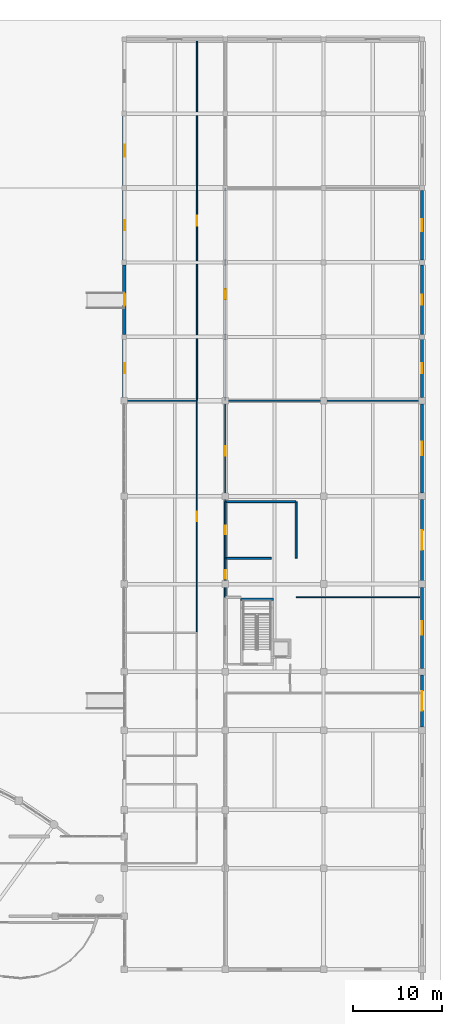
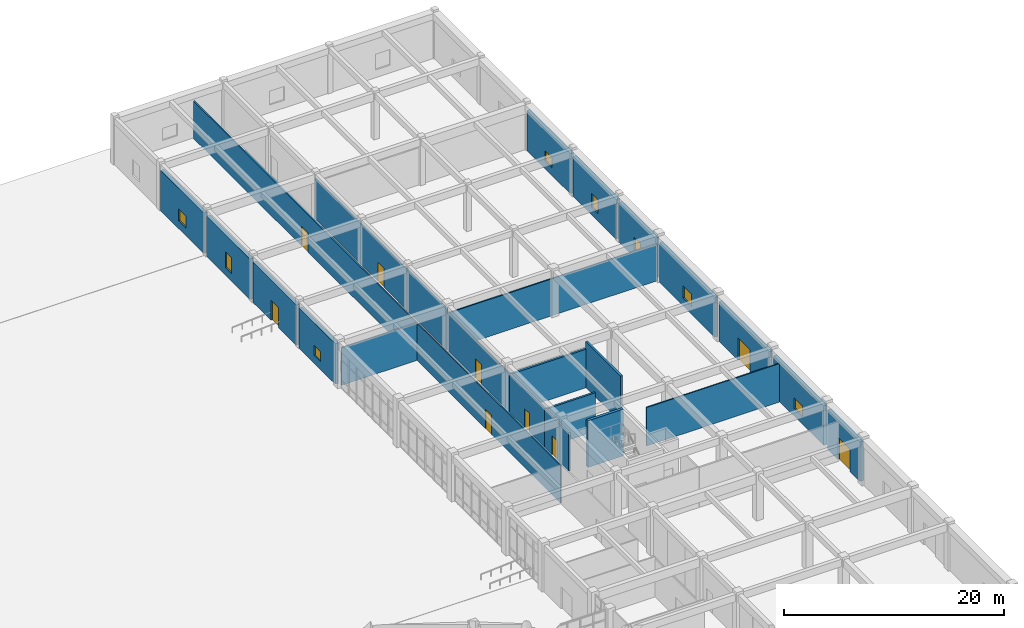
# One storey, part 57 of 70: 24 walls, 9 doors, 8 windows, 17 openings.
"""IFC4 building model written with IfcOpenShell, lengths in metres."""

from ifc_helpers import new_model, si_unit, direction, frame, frame_2d, origin, place, context, subcontext, project, spatial, rectangle, extrude, material, layer, layer_set, type_object, element, fill, save


model = new_model("IFC4")

# Units and contexts
model_context = context("Model", 3, precision=1e-05, world=origin(), true_north=direction((0.0, 1.0)))
body_context = subcontext(model_context, "Body", "Model", "MODEL_VIEW")
ifc_project = project(units=[si_unit("LENGTHUNIT", "METRE"), si_unit("AREAUNIT", "SQUARE_METRE"), si_unit("VOLUMEUNIT", "CUBIC_METRE"), si_unit("PLANEANGLEUNIT", "RADIAN"), si_unit("MASSUNIT", "GRAM", prefix="KILO")], contexts=[model_context])

# Site, building, storey
site_placement = place(None, origin())
site = spatial("IfcSite", under=ifc_project, at=site_placement, CompositionType="ELEMENT")
building_placement = place(site_placement, origin())
building = spatial("IfcBuilding", under=site, at=building_placement, Name="Miralva Faculty of Natural Sciences", CompositionType="ELEMENT")
storey_placement = place(building_placement, origin())
storey = spatial("IfcBuildingStorey", under=building, at=storey_placement, Name="L00", CompositionType="ELEMENT", Elevation=0.0)

# Wall
ifc_material_1 = material(Name="Concrete C40/50", Category="concrete")
ifc_layer_1 = layer(ifc_material_1, 0.300048828125, Name="WL-CW03")
ifc_layer_set_1 = layer_set([ifc_layer_1], Name="Concrete C40/50")
wall_type_1 = type_object("IfcWallType", Name="WL-CW03", PredefinedType="SHEAR", material=ifc_layer_set_1)
wall_1_placement = place(storey_placement, frame((146.89990234375, 53.800048828125, 0.0), z_axis=(0.0, 0.0, 1.0), x_axis=(1.0, 0.0, 0.0)))
element("IfcWall", 1, at=wall_1_placement, inside=storey, type_object=wall_type_1, Name="Core C4 shear wall north L00", PredefinedType="SHEAR", context=body_context, shape_type="SweptSolid", body=[
    extrude(rectangle(XDim=3.75, YDim=0.300048828125, at=frame_2d((1.875, 0.0))), origin(), (0.0, 0.0, 1.0), 5.179931640625),
])

# Wall, opening, door
ifc_material_2 = material(Name="Gypsum plasterboard")
ifc_layer_2 = layer(ifc_material_2, 0.139892578125, Name="WL-PT04")
ifc_layer_set_2 = layer_set([ifc_layer_2], Name="Gypsum plasterboard")
wall_type_2 = type_object("IfcWallType", Name="WL-PT04", PredefinedType="PARTITIONING", material=ifc_layer_set_2)
wall_2_placement = place(storey_placement, frame((142.0, 76.22998046875, 0.0), z_axis=(0.0, 0.0, 1.0), x_axis=(0.0, 1.0, 0.0)))
wall_2 = element("IfcWall", 2, at=wall_2_placement, inside=storey, type_object=wall_type_2, Name="Interior partition PT-04 L00-78", PredefinedType="PARTITIONING", context=body_context, shape_type="SweptSolid", body=[
    extrude(rectangle(XDim=40.5400390625, YDim=0.139892578125, at=frame_2d((20.27001953125, 0.0))), origin(), (0.0, 0.0, 1.0), 4.155029296875),
])
opening_1_placement = place(wall_2_placement, frame((19.695068359375, 0.0, 0.0)))
opening_1 = element("IfcOpeningElement", 3, at=opening_1_placement, cuts=wall_2, Name="Opening D-24", PredefinedType="OPENING", context=body_context, shape_type="SweptSolid", body=[
    extrude(rectangle(XDim=1.14990234375, YDim=2.14990234375, at=frame_2d((0.574951171875, 1.074951171875))), frame((0.0, 0.079833984375, 0.0), z_axis=(0.0, -1.0, 0.0), x_axis=(1.0, 0.0, 0.0)), (0.0, 0.0, 1.0), 0.159912109375),
])
ifc_material_3 = material(Name="Anodised aluminium", Category="aluminium")
door_type_1 = type_object("IfcDoorType", Name="DR-DI24", OperationType="NOTDEFINED", PredefinedType="DOOR", material=ifc_material_3)
door_1_placement = place(opening_1_placement, origin())
door_1 = element("IfcDoor", 4, at=door_1_placement, inside=storey, type_object=door_type_1, Name="Interior door D-24 L00-44", OperationType="SINGLE_SWING_LEFT", OverallHeight=2.14990234375, OverallWidth=1.14990234375, PredefinedType="DOOR", context=body_context, shape_type="SweptSolid", body=[
    extrude(rectangle(XDim=1.14990234375, YDim=2.14990234375, at=frame_2d((0.574951171875, 1.074951171875))), frame((0.0, 0.02490234375, 0.0), z_axis=(0.0, -1.0, 0.0), x_axis=(1.0, 0.0, 0.0)), (0.0, 0.0, 1.0), 0.050048828125),
])
fill(opening_1, door_1)

wall_3_placement = place(storey_placement, frame((145.199951171875, 76.22998046875, 0.0), z_axis=(0.0, 0.0, 1.0), x_axis=(0.0, 1.0, 0.0)))
wall_3 = element("IfcWall", 5, at=wall_3_placement, inside=storey, type_object=wall_type_2, Name="Interior partition PT-04 L00-89", PredefinedType="PARTITIONING", context=body_context, shape_type="SweptSolid", body=[
    extrude(rectangle(XDim=23.93994140625, YDim=0.139892578125, at=frame_2d((11.969970703125, 0.0))), origin(), (0.0, 0.0, 1.0), 4.4951171875),
])
opening_2_placement = place(wall_3_placement, frame((11.39501953125, 0.0, 0.0)))
opening_2 = element("IfcOpeningElement", 6, at=opening_2_placement, cuts=wall_3, Name="Opening D-24", PredefinedType="OPENING", context=body_context, shape_type="SweptSolid", body=[
    extrude(rectangle(XDim=1.14990234375, YDim=2.14990234375, at=frame_2d((0.574951171875, 1.074951171875))), frame((0.0, 0.079833984375, 0.0), z_axis=(0.0, -1.0, 0.0), x_axis=(1.0, 0.0, 0.0)), (0.0, 0.0, 1.0), 0.159912109375),
])
door_2_placement = place(opening_2_placement, origin())
door_2 = element("IfcDoor", 7, at=door_2_placement, inside=storey, type_object=door_type_1, Name="Interior door D-24 L00-45", OperationType="SINGLE_SWING_RIGHT", OverallHeight=2.14990234375, OverallWidth=1.14990234375, PredefinedType="DOOR", context=body_context, shape_type="SweptSolid", body=[
    extrude(rectangle(XDim=1.14990234375, YDim=2.14990234375, at=frame_2d((0.574951171875, 1.074951171875))), frame((0.0, 0.02490234375, 0.0), z_axis=(0.0, -1.0, 0.0), x_axis=(1.0, 0.0, 0.0)), (0.0, 0.0, 1.0), 0.050048828125),
])
fill(opening_2, door_2)

# Walls
wall_4_placement = place(storey_placement, frame((134.030029296875, 76.199951171875, 0.0), z_axis=(0.0, 0.0, 1.0), x_axis=(1.0, 0.0, 0.0)))
element("IfcWall", 8, at=wall_4_placement, inside=storey, type_object=wall_type_2, Name="Interior partition PT-04 L00-117", PredefinedType="PARTITIONING", context=body_context, shape_type="SweptSolid", body=[
    extrude(rectangle(XDim=7.93994140625, YDim=0.139892578125, at=frame_2d((3.969970703125, 0.0))), origin(), (0.0, 0.0, 1.0), 4.155029296875),
])
wall_5_placement = place(storey_placement, frame((145.22998046875, 76.199951171875, 0.0), z_axis=(0.0, 0.0, 1.0), x_axis=(1.0, 0.0, 0.0)))
element("IfcWall", 9, at=wall_5_placement, inside=storey, type_object=wall_type_2, Name="Interior partition PT-04 L00-124", PredefinedType="PARTITIONING", context=body_context, shape_type="SweptSolid", body=[
    extrude(rectangle(XDim=21.93994140625, YDim=0.139892578125, at=frame_2d((10.969970703125, 0.0))), origin(), (0.0, 0.0, 1.0), 4.094970703125),
])

# Wall, opening, door
ifc_layer_3 = layer(ifc_material_2, 0.125, Name="WL-PT05")
ifc_layer_set_3 = layer_set([ifc_layer_3], Name="Gypsum plasterboard")
wall_type_3 = type_object("IfcWallType", Name="WL-PT05", PredefinedType="PARTITIONING", material=ifc_layer_set_3)
wall_6_placement = place(storey_placement, frame((142.0, 50.030029296875, 0.0), z_axis=(0.0, 0.0, 1.0), x_axis=(0.0, 1.0, 0.0)))
wall_6 = element("IfcWall", 10, at=wall_6_placement, inside=storey, type_object=wall_type_3, Name="Interior partition PT-05 L00-77", PredefinedType="PARTITIONING", context=body_context, shape_type="SweptSolid", body=[
    extrude(rectangle(XDim=26.139892578125, YDim=0.125, at=frame_2d((13.06982421875, 0.0))), origin(), (0.0, 0.0, 1.0), 4.155029296875),
])
opening_3_placement = place(wall_6_placement, frame((12.530029296875, 0.0, 0.0)))
opening_3 = element("IfcOpeningElement", 11, at=opening_3_placement, cuts=wall_6, Name="Opening D-32", PredefinedType="OPENING", context=body_context, shape_type="SweptSolid", body=[
    extrude(rectangle(XDim=1.080078125, YDim=2.14990234375, at=frame_2d((0.5400390625, 1.074951171875))), frame((0.0, 0.072509765625, 0.0), z_axis=(0.0, -1.0, 0.0), x_axis=(1.0, 0.0, 0.0)), (0.0, 0.0, 1.0), 0.14501953125),
])
door_type_2 = type_object("IfcDoorType", Name="DR-DI32", OperationType="NOTDEFINED", PredefinedType="DOOR", material=ifc_material_3)
door_3_placement = place(opening_3_placement, origin())
door_3 = element("IfcDoor", 12, at=door_3_placement, inside=storey, type_object=door_type_2, Name="Interior door D-32 L00-39", OperationType="SINGLE_SWING_RIGHT", OverallHeight=2.14990234375, OverallWidth=1.080078125, PredefinedType="DOOR", context=body_context, shape_type="SweptSolid", body=[
    extrude(rectangle(XDim=1.080078125, YDim=2.14990234375, at=frame_2d((0.5400390625, 1.074951171875))), frame((0.0, 0.02490234375, 0.0), z_axis=(0.0, -1.0, 0.0), x_axis=(1.0, 0.0, 0.0)), (0.0, 0.0, 1.0), 0.050048828125),
])
fill(opening_3, door_3)

wall_7_placement = place(storey_placement, frame((145.199951171875, 64.830078125, 0.0), z_axis=(0.0, 0.0, 1.0), x_axis=(0.0, 1.0, 0.0)))
wall_7 = element("IfcWall", 13, at=wall_7_placement, inside=storey, type_object=wall_type_3, Name="Interior partition PT-05 L00-88", PredefinedType="PARTITIONING", context=body_context, shape_type="SweptSolid", body=[
    extrude(rectangle(XDim=11.33984375, YDim=0.125, at=frame_2d((5.669921875, 0.0))), origin(), (0.0, 0.0, 1.0), 4.264892578125),
])
opening_4_placement = place(wall_7_placement, frame((5.1298828125, 0.0, 0.0)))
opening_4 = element("IfcOpeningElement", 14, at=opening_4_placement, cuts=wall_7, Name="Opening D-32", PredefinedType="OPENING", context=body_context, shape_type="SweptSolid", body=[
    extrude(rectangle(XDim=1.080078125, YDim=2.14990234375, at=frame_2d((0.5400390625, 1.074951171875))), frame((0.0, 0.072509765625, 0.0), z_axis=(0.0, -1.0, 0.0), x_axis=(1.0, 0.0, 0.0)), (0.0, 0.0, 1.0), 0.14501953125),
])
door_4_placement = place(opening_4_placement, origin())
door_4 = element("IfcDoor", 15, at=door_4_placement, inside=storey, type_object=door_type_2, Name="Interior door D-32 L00-42", OperationType="SINGLE_SWING_LEFT", OverallHeight=2.14990234375, OverallWidth=1.080078125, PredefinedType="DOOR", context=body_context, shape_type="SweptSolid", body=[
    extrude(rectangle(XDim=1.080078125, YDim=2.14990234375, at=frame_2d((0.5400390625, 1.074951171875))), frame((0.0, 0.02490234375, 0.0), z_axis=(0.0, -1.0, 0.0), x_axis=(1.0, 0.0, 0.0)), (0.0, 0.0, 1.0), 0.050048828125),
])
fill(opening_4, door_4)

# Wall
wall_8_placement = place(storey_placement, frame((153.22998046875, 54.0, 0.0), z_axis=(0.0, 0.0, 1.0), x_axis=(1.0, 0.0, 0.0)))
element("IfcWall", 16, at=wall_8_placement, inside=storey, type_object=wall_type_3, Name="Interior partition PT-05 L00-119", PredefinedType="PARTITIONING", context=body_context, shape_type="SweptSolid", body=[
    extrude(rectangle(XDim=13.93994140625, YDim=0.125, at=frame_2d((6.969970703125, 0.0))), origin(), (0.0, 0.0, 1.0), 4.264892578125),
])

# Wall, opening, door
ifc_layer_4 = layer(ifc_material_2, 0.2099609375, Name="WL-PT06")
ifc_layer_set_4 = layer_set([ifc_layer_4], Name="Gypsum plasterboard")
wall_type_4 = type_object("IfcWallType", Name="WL-PT06", PredefinedType="PLUMBINGWALL", material=ifc_layer_set_4)
wall_9_placement = place(storey_placement, frame((145.199951171875, 54.030029296875, 0.0), z_axis=(0.0, 0.0, 1.0), x_axis=(0.0, 1.0, 0.0)))
wall_9 = element("IfcWall", 17, at=wall_9_placement, inside=storey, type_object=wall_type_4, Name="Interior partition PT-06 L00-86", PredefinedType="PLUMBINGWALL", context=body_context, shape_type="SweptSolid", body=[
    extrude(rectangle(XDim=4.340087890625, YDim=0.2099609375, at=frame_2d((2.169921875, 0.0))), origin(), (0.0, 0.0, 1.0), 4.264892578125),
])
opening_5_placement = place(wall_9_placement, frame((2.0400390625, 0.0, 0.0)))
opening_5 = element("IfcOpeningElement", 18, at=opening_5_placement, cuts=wall_9, Name="Opening D-26", PredefinedType="OPENING", context=body_context, shape_type="SweptSolid", body=[
    extrude(rectangle(XDim=0.97998046875, YDim=2.10009765625, at=frame_2d((0.489990234375, 1.050048828125))), frame((0.0, 0.114990234375, 0.0), z_axis=(0.0, -1.0, 0.0), x_axis=(1.0, 0.0, 0.0)), (0.0, 0.0, 1.0), 0.22998046875),
])
door_type_3 = type_object("IfcDoorType", Name="DR-DI26", OperationType="NOTDEFINED", PredefinedType="DOOR", material=ifc_material_3)
door_5_placement = place(opening_5_placement, origin())
door_5 = element("IfcDoor", 19, at=door_5_placement, inside=storey, type_object=door_type_3, Name="Interior door D-26 L00-40", OperationType="SINGLE_SWING_LEFT", OverallHeight=2.10009765625, OverallWidth=0.97998046875, PredefinedType="DOOR", context=body_context, shape_type="SweptSolid", body=[
    extrude(rectangle(XDim=0.97998046875, YDim=2.10009765625, at=frame_2d((0.489990234375, 1.050048828125))), frame((0.0, 0.02490234375, 0.0), z_axis=(0.0, -1.0, 0.0), x_axis=(1.0, 0.0, 0.0)), (0.0, 0.0, 1.0), 0.050048828125),
])
fill(opening_5, door_5)

wall_10_placement = place(storey_placement, frame((145.199951171875, 58.429931640625, 0.0), z_axis=(0.0, 0.0, 1.0), x_axis=(0.0, 1.0, 0.0)))
wall_10 = element("IfcWall", 20, at=wall_10_placement, inside=storey, type_object=wall_type_4, Name="Interior partition PT-06 L00-87", PredefinedType="PLUMBINGWALL", context=body_context, shape_type="SweptSolid", body=[
    extrude(rectangle(XDim=6.340087890625, YDim=0.2099609375, at=frame_2d((3.169921875, 0.0))), origin(), (0.0, 0.0, 1.0), 4.264892578125),
])
opening_6_placement = place(wall_10_placement, frame((2.7099609375, 0.0, 0.0)))
opening_6 = element("IfcOpeningElement", 21, at=opening_6_placement, cuts=wall_10, Name="Opening D-27", PredefinedType="OPENING", context=body_context, shape_type="SweptSolid", body=[
    extrude(rectangle(XDim=0.919921875, YDim=2.10009765625, at=frame_2d((0.4599609375, 1.050048828125))), frame((0.0, 0.114990234375, 0.0), z_axis=(0.0, -1.0, 0.0), x_axis=(1.0, 0.0, 0.0)), (0.0, 0.0, 1.0), 0.22998046875),
])
door_type_4 = type_object("IfcDoorType", Name="DR-DI27", OperationType="NOTDEFINED", PredefinedType="DOOR", material=ifc_material_3)
door_6_placement = place(opening_6_placement, origin())
door_6 = element("IfcDoor", 22, at=door_6_placement, inside=storey, type_object=door_type_4, Name="Interior door D-27 L00-41", OperationType="SINGLE_SWING_RIGHT", OverallHeight=2.10009765625, OverallWidth=0.919921875, PredefinedType="DOOR", context=body_context, shape_type="SweptSolid", body=[
    extrude(rectangle(XDim=0.919921875, YDim=2.10009765625, at=frame_2d((0.4599609375, 1.050048828125))), frame((0.0, 0.02490234375, 0.0), z_axis=(0.0, -1.0, 0.0), x_axis=(1.0, 0.0, 0.0)), (0.0, 0.0, 1.0), 0.050048828125),
])
fill(opening_6, door_6)

# Walls
wall_11_placement = place(storey_placement, frame((145.22998046875, 58.39990234375, 0.0), z_axis=(0.0, 0.0, 1.0), x_axis=(1.0, 0.0, 0.0)))
element("IfcWall", 23, at=wall_11_placement, inside=storey, type_object=wall_type_4, Name="Interior partition PT-06 L00-120", PredefinedType="PLUMBINGWALL", context=body_context, shape_type="SweptSolid", body=[
    extrude(rectangle(XDim=5.14013671875, YDim=0.2099609375, at=frame_2d((2.570068359375, 0.0))), origin(), (0.0, 0.0, 1.0), 4.264892578125),
])
wall_12_placement = place(storey_placement, frame((145.22998046875, 64.800048828125, 0.0), z_axis=(0.0, 0.0, 1.0), x_axis=(1.0, 0.0, 0.0)))
element("IfcWall", 24, at=wall_12_placement, inside=storey, type_object=wall_type_4, Name="Interior partition PT-06 L00-122", PredefinedType="PLUMBINGWALL", context=body_context, shape_type="SweptSolid", body=[
    extrude(rectangle(XDim=7.93994140625, YDim=0.2099609375, at=frame_2d((3.969970703125, 0.0))), origin(), (0.0, 0.0, 1.0), 4.264892578125),
])
wall_13_placement = place(storey_placement, frame((153.199951171875, 58.429931640625, 0.0), z_axis=(0.0, 0.0, 1.0), x_axis=(0.0, 1.0, 0.0)))
element("IfcWall", 25, at=wall_13_placement, inside=storey, type_object=wall_type_4, Name="Interior partition PT-06 L00-123", PredefinedType="PLUMBINGWALL", context=body_context, shape_type="SweptSolid", body=[
    extrude(rectangle(XDim=6.340087890625, YDim=0.2099609375, at=frame_2d((3.169921875, 0.0))), origin(), (0.0, 0.0, 1.0), 5.080078125),
])

# Wall, opening, door
ifc_material_4 = material(Name="Volcanic tuff architectural stone", Category="masonry")
ifc_layer_5 = layer(ifc_material_4, 0.360107421875, Name="WL-WT01")
ifc_layer_set_5 = layer_set([ifc_layer_5], Name="Volcanic tuff architectural stone")
wall_type_5 = type_object("IfcWallType", Name="WL-WT01", PredefinedType="SOLIDWALL", material=ifc_layer_set_5)
wall_14_placement = place(storey_placement, frame((167.39990234375, 39.364990234375, 0.0), z_axis=(0.0, 0.0, 1.0), x_axis=(0.0, 1.0, 0.0)))
wall_14 = element("IfcWall", 26, at=wall_14_placement, inside=storey, type_object=wall_type_5, Name="Exterior wall L00-292", PredefinedType="SOLIDWALL", context=body_context, shape_type="SweptSolid", body=[
    extrude(rectangle(XDim=5.880126953125, YDim=0.360107421875, at=frame_2d((2.93994140625, 0.0))), origin(), (0.0, 0.0, 1.0), 4.4150390625),
])
opening_7_placement = place(wall_14_placement, frame((1.840087890625, 0.0, 0.0)))
opening_7 = element("IfcOpeningElement", 27, at=opening_7_placement, cuts=wall_14, Name="Opening D-01", PredefinedType="OPENING", context=body_context, shape_type="SweptSolid", body=[
    extrude(rectangle(XDim=2.199951171875, YDim=2.5, at=frame_2d((1.10009765625, 1.25))), frame((0.0, 0.18994140625, 0.0), z_axis=(0.0, -1.0, 0.0), x_axis=(1.0, 0.0, 0.0)), (0.0, 0.0, 1.0), 0.380126953125),
])
door_type_5 = type_object("IfcDoorType", Name="DR-DE01", OperationType="DOUBLE_DOOR_SINGLE_SWING", PredefinedType="DOOR", material=ifc_material_3)
door_7_placement = place(opening_7_placement, frame((2.199951171875, 0.0, 0.0), z_axis=(0.0, 0.0, 1.0), x_axis=(-1.0, 0.0, 0.0)))
door_7 = element("IfcDoor", 28, at=door_7_placement, inside=storey, type_object=door_type_5, Name="Exterior pedestrian exit door D-01 L00-22", OperationType="DOUBLE_DOOR_SINGLE_SWING", OverallHeight=2.5, OverallWidth=2.199951171875, PredefinedType="DOOR", context=body_context, shape_type="SweptSolid", body=[
    extrude(rectangle(XDim=2.199951171875, YDim=2.5, at=frame_2d((1.10009765625, 1.25))), frame((0.0, 0.02490234375, 0.0), z_axis=(0.0, -1.0, 0.0), x_axis=(1.0, 0.0, 0.0)), (0.0, 0.0, 1.0), 0.050048828125),
])
fill(opening_7, door_7)

# Wall, opening, window
wall_15_placement = place(storey_placement, frame((167.39990234375, 45.965087890625, 0.0), z_axis=(0.0, 0.0, 1.0), x_axis=(0.0, 1.0, 0.0)))
wall_15 = element("IfcWall", 29, at=wall_15_placement, inside=storey, type_object=wall_type_5, Name="Exterior wall L00-293", PredefinedType="SOLIDWALL", context=body_context, shape_type="SweptSolid", body=[
    extrude(rectangle(XDim=9.169921875, YDim=0.360107421875, at=frame_2d((4.5849609375, 0.0))), origin(), (0.0, 0.0, 1.0), 4.4150390625),
])
opening_8_placement = place(wall_15_placement, frame((3.81005859375, 0.0, 0.85009765625)))
opening_8 = element("IfcOpeningElement", 30, at=opening_8_placement, cuts=wall_15, Name="Opening W-57", PredefinedType="OPENING", context=body_context, shape_type="SweptSolid", body=[
    extrude(rectangle(XDim=1.550048828125, YDim=1.14990234375, at=frame_2d((0.77490234375, 0.574951171875))), frame((0.0, 0.18994140625, 0.0), z_axis=(0.0, -1.0, 0.0), x_axis=(1.0, 0.0, 0.0)), (0.0, 0.0, 1.0), 0.380126953125),
])
ifc_material_5 = material(Name="Laminated solar-control glass", Category="glass")
window_type_1 = type_object("IfcWindowType", Name="WN-W57", PartitioningType="DOUBLE_PANEL_VERTICAL", PredefinedType="WINDOW", material=ifc_material_5)
window_1_placement = place(opening_8_placement, frame((1.550048828125, 0.0, 0.0), z_axis=(0.0, 0.0, 1.0), x_axis=(-1.0, 0.0, 0.0)))
window_1 = element("IfcWindow", 31, at=window_1_placement, inside=storey, type_object=window_type_1, Name="Window W-57 L00-219", OverallHeight=1.14990234375, OverallWidth=1.550048828125, PartitioningType="DOUBLE_PANEL_VERTICAL", PredefinedType="WINDOW", context=body_context, shape_type="SweptSolid", body=[
    extrude(rectangle(XDim=1.550048828125, YDim=1.14990234375, at=frame_2d((0.77490234375, 0.574951171875))), frame((0.0, 0.030029296875, 0.0), z_axis=(0.0, -1.0, 0.0), x_axis=(1.0, 0.0, 0.0)), (0.0, 0.0, 1.0), 0.06005859375),
])
fill(opening_8, window_1)

# Wall, opening, door
wall_16_placement = place(storey_placement, frame((167.39990234375, 55.864990234375, 0.0), z_axis=(0.0, 0.0, 1.0), x_axis=(0.0, 1.0, 0.0)))
wall_16 = element("IfcWall", 32, at=wall_16_placement, inside=storey, type_object=wall_type_5, Name="Exterior wall L00-294", PredefinedType="SOLIDWALL", context=body_context, shape_type="SweptSolid", body=[
    extrude(rectangle(XDim=9.169921875, YDim=0.360107421875, at=frame_2d((4.5849609375, 0.0))), origin(), (0.0, 0.0, 1.0), 4.4150390625),
])
opening_9_placement = place(wall_16_placement, frame((3.485107421875, 0.0, 0.0)))
opening_9 = element("IfcOpeningElement", 33, at=opening_9_placement, cuts=wall_16, Name="Opening D-01", PredefinedType="OPENING", context=body_context, shape_type="SweptSolid", body=[
    extrude(rectangle(XDim=2.199951171875, YDim=2.5, at=frame_2d((1.10009765625, 1.25))), frame((0.0, 0.18994140625, 0.0), z_axis=(0.0, -1.0, 0.0), x_axis=(1.0, 0.0, 0.0)), (0.0, 0.0, 1.0), 0.380126953125),
])
door_8_placement = place(opening_9_placement, frame((2.199951171875, 0.0, 0.0), z_axis=(0.0, 0.0, 1.0), x_axis=(-1.0, 0.0, 0.0)))
door_8 = element("IfcDoor", 34, at=door_8_placement, inside=storey, type_object=door_type_5, Name="Exterior pedestrian exit door D-01 L00-23", OperationType="DOUBLE_DOOR_SINGLE_SWING", OverallHeight=2.5, OverallWidth=2.199951171875, PredefinedType="DOOR", context=body_context, shape_type="SweptSolid", body=[
    extrude(rectangle(XDim=2.199951171875, YDim=2.5, at=frame_2d((1.10009765625, 1.25))), frame((0.0, 0.02490234375, 0.0), z_axis=(0.0, -1.0, 0.0), x_axis=(1.0, 0.0, 0.0)), (0.0, 0.0, 1.0), 0.050048828125),
])
fill(opening_9, door_8)

# Wall, opening, window
wall_17_placement = place(storey_placement, frame((167.39990234375, 65.764892578125, 0.0), z_axis=(0.0, 0.0, 1.0), x_axis=(0.0, 1.0, 0.0)))
wall_17 = element("IfcWall", 35, at=wall_17_placement, inside=storey, type_object=wall_type_5, Name="Exterior wall L00-295", PredefinedType="SOLIDWALL", context=body_context, shape_type="SweptSolid", body=[
    extrude(rectangle(XDim=10.070068359375, YDim=0.360107421875, at=frame_2d((5.03515625, 0.0))), origin(), (0.0, 0.0, 1.0), 4.4150390625),
])
opening_10_placement = place(wall_17_placement, frame((4.260009765625, 0.0, 0.85009765625)))
opening_10 = element("IfcOpeningElement", 36, at=opening_10_placement, cuts=wall_17, Name="Opening W-58", PredefinedType="OPENING", context=body_context, shape_type="SweptSolid", body=[
    extrude(rectangle(XDim=1.550048828125, YDim=1.35009765625, at=frame_2d((0.77490234375, 0.675048828125))), frame((0.0, 0.18994140625, 0.0), z_axis=(0.0, -1.0, 0.0), x_axis=(1.0, 0.0, 0.0)), (0.0, 0.0, 1.0), 0.380126953125),
])
window_type_2 = type_object("IfcWindowType", Name="WN-W58", PartitioningType="DOUBLE_PANEL_VERTICAL", PredefinedType="WINDOW", material=ifc_material_5)
window_2_placement = place(opening_10_placement, frame((1.550048828125, 0.0, 0.0), z_axis=(0.0, 0.0, 1.0), x_axis=(-1.0, 0.0, 0.0)))
window_2 = element("IfcWindow", 37, at=window_2_placement, inside=storey, type_object=window_type_2, Name="Window W-58 L00-220", OverallHeight=1.35009765625, OverallWidth=1.550048828125, PartitioningType="DOUBLE_PANEL_VERTICAL", PredefinedType="WINDOW", context=body_context, shape_type="SweptSolid", body=[
    extrude(rectangle(XDim=1.550048828125, YDim=1.35009765625, at=frame_2d((0.77490234375, 0.675048828125))), frame((0.0, 0.030029296875, 0.0), z_axis=(0.0, -1.0, 0.0), x_axis=(1.0, 0.0, 0.0)), (0.0, 0.0, 1.0), 0.06005859375),
])
fill(opening_10, window_2)

wall_18_placement = place(storey_placement, frame((133.800048828125, 76.56494140625, 0.0), z_axis=(0.0, 0.0, 1.0), x_axis=(0.0, 1.0, 0.0)))
wall_18 = element("IfcWall", 38, at=wall_18_placement, inside=storey, type_object=wall_type_5, Name="Exterior wall L00-338", PredefinedType="SOLIDWALL", context=body_context, shape_type="SweptSolid", body=[
    extrude(rectangle(XDim=6.580078125, YDim=0.360107421875, at=frame_2d((3.2900390625, 0.0))), origin(), (0.0, 0.0, 1.0), 4.4951171875),
])
opening_11_placement = place(wall_18_placement, frame((2.715087890625, 0.0, 0.85009765625)))
opening_11 = element("IfcOpeningElement", 39, at=opening_11_placement, cuts=wall_18, Name="Opening W-49", PredefinedType="OPENING", context=body_context, shape_type="SweptSolid", body=[
    extrude(rectangle(XDim=1.14990234375, YDim=1.14990234375, at=frame_2d((0.574951171875, 0.574951171875))), frame((0.0, 0.18994140625, 0.0), z_axis=(0.0, -1.0, 0.0), x_axis=(1.0, 0.0, 0.0)), (0.0, 0.0, 1.0), 0.380126953125),
])
window_type_3 = type_object("IfcWindowType", Name="WN-W49", PartitioningType="DOUBLE_PANEL_VERTICAL", PredefinedType="WINDOW", material=ifc_material_5)
window_3_placement = place(opening_11_placement, origin())
window_3 = element("IfcWindow", 40, at=window_3_placement, inside=storey, type_object=window_type_3, Name="Window W-49 L00-263", OverallHeight=1.14990234375, OverallWidth=1.14990234375, PartitioningType="DOUBLE_PANEL_VERTICAL", PredefinedType="WINDOW", context=body_context, shape_type="SweptSolid", body=[
    extrude(rectangle(XDim=1.14990234375, YDim=1.14990234375, at=frame_2d((0.574951171875, 0.574951171875))), frame((0.0, 0.030029296875, 0.0), z_axis=(0.0, -1.0, 0.0), x_axis=(1.0, 0.0, 0.0)), (0.0, 0.0, 1.0), 0.06005859375),
])
fill(opening_11, window_3)

wall_19_placement = place(storey_placement, frame((167.39990234375, 76.56494140625, 0.0), z_axis=(0.0, 0.0, 1.0), x_axis=(0.0, 1.0, 0.0)))
wall_19 = element("IfcWall", 41, at=wall_19_placement, inside=storey, type_object=wall_type_5, Name="Exterior wall L00-339", PredefinedType="SOLIDWALL", context=body_context, shape_type="SweptSolid", body=[
    extrude(rectangle(XDim=6.580078125, YDim=0.360107421875, at=frame_2d((3.2900390625, 0.0))), origin(), (0.0, 0.0, 1.0), 4.445068359375),
])
opening_12_placement = place(wall_19_placement, frame((2.715087890625, 0.0, 0.85009765625)))
opening_12 = element("IfcOpeningElement", 42, at=opening_12_placement, cuts=wall_19, Name="Opening W-50", PredefinedType="OPENING", context=body_context, shape_type="SweptSolid", body=[
    extrude(rectangle(XDim=1.14990234375, YDim=1.35009765625, at=frame_2d((0.574951171875, 0.675048828125))), frame((0.0, 0.18994140625, 0.0), z_axis=(0.0, -1.0, 0.0), x_axis=(1.0, 0.0, 0.0)), (0.0, 0.0, 1.0), 0.380126953125),
])
window_type_4 = type_object("IfcWindowType", Name="WN-W50", PartitioningType="DOUBLE_PANEL_VERTICAL", PredefinedType="WINDOW", material=ifc_material_5)
window_4_placement = place(opening_12_placement, frame((1.14990234375, 0.0, 0.0), z_axis=(0.0, 0.0, 1.0), x_axis=(-1.0, 0.0, 0.0)))
window_4 = element("IfcWindow", 43, at=window_4_placement, inside=storey, type_object=window_type_4, Name="Window W-50 L00-264", OverallHeight=1.35009765625, OverallWidth=1.14990234375, PartitioningType="DOUBLE_PANEL_VERTICAL", PredefinedType="WINDOW", context=body_context, shape_type="SweptSolid", body=[
    extrude(rectangle(XDim=1.14990234375, YDim=1.35009765625, at=frame_2d((0.574951171875, 0.675048828125))), frame((0.0, 0.030029296875, 0.0), z_axis=(0.0, -1.0, 0.0), x_axis=(1.0, 0.0, 0.0)), (0.0, 0.0, 1.0), 0.06005859375),
])
fill(opening_12, window_4)

# Wall, opening, door
wall_20_placement = place(storey_placement, frame((133.800048828125, 83.6650390625, 0.0), z_axis=(0.0, 0.0, 1.0), x_axis=(0.0, 1.0, 0.0)))
wall_20 = element("IfcWall", 44, at=wall_20_placement, inside=storey, type_object=wall_type_5, Name="Exterior wall L00-340", PredefinedType="SOLIDWALL", context=body_context, shape_type="SweptSolid", body=[
    extrude(rectangle(XDim=7.869873046875, YDim=0.360107421875, at=frame_2d((3.93505859375, 0.0))), origin(), (0.0, 0.0, 1.0), 4.4951171875),
])
opening_13_placement = place(wall_20_placement, frame((3.260009765625, 0.0, 0.0)))
opening_13 = element("IfcOpeningElement", 45, at=opening_13_placement, cuts=wall_20, Name="Opening D-06", PredefinedType="OPENING", context=body_context, shape_type="SweptSolid", body=[
    extrude(rectangle(XDim=1.35009765625, YDim=2.25, at=frame_2d((0.675048828125, 1.125))), frame((0.0, 0.18994140625, 0.0), z_axis=(0.0, -1.0, 0.0), x_axis=(1.0, 0.0, 0.0)), (0.0, 0.0, 1.0), 0.380126953125),
])
door_type_6 = type_object("IfcDoorType", Name="DR-DE06", OperationType="NOTDEFINED", PredefinedType="DOOR", material=ifc_material_3)
door_9_placement = place(opening_13_placement, origin())
door_9 = element("IfcDoor", 46, at=door_9_placement, inside=storey, type_object=door_type_6, Name="Exterior pedestrian exit door D-06 L00-24", OperationType="SINGLE_SWING_LEFT", OverallHeight=2.25, OverallWidth=1.35009765625, PredefinedType="DOOR", context=body_context, shape_type="SweptSolid", body=[
    extrude(rectangle(XDim=1.35009765625, YDim=2.25, at=frame_2d((0.675048828125, 1.125))), frame((0.0, 0.02490234375, 0.0), z_axis=(0.0, -1.0, 0.0), x_axis=(1.0, 0.0, 0.0)), (0.0, 0.0, 1.0), 0.050048828125),
])
fill(opening_13, door_9)

# Wall, opening, window
wall_21_placement = place(storey_placement, frame((167.39990234375, 83.6650390625, 0.0), z_axis=(0.0, 0.0, 1.0), x_axis=(0.0, 1.0, 0.0)))
wall_21 = element("IfcWall", 47, at=wall_21_placement, inside=storey, type_object=wall_type_5, Name="Exterior wall L00-341", PredefinedType="SOLIDWALL", context=body_context, shape_type="SweptSolid", body=[
    extrude(rectangle(XDim=7.869873046875, YDim=0.360107421875, at=frame_2d((3.93505859375, 0.0))), origin(), (0.0, 0.0, 1.0), 4.445068359375),
])
opening_14_placement = place(wall_21_placement, frame((3.360107421875, 0.0, 0.85009765625)))
opening_14 = element("IfcOpeningElement", 48, at=opening_14_placement, cuts=wall_21, Name="Opening W-51", PredefinedType="OPENING", context=body_context, shape_type="SweptSolid", body=[
    extrude(rectangle(XDim=1.14990234375, YDim=1.550048828125, at=frame_2d((0.574951171875, 0.77490234375))), frame((0.0, 0.18994140625, 0.0), z_axis=(0.0, -1.0, 0.0), x_axis=(1.0, 0.0, 0.0)), (0.0, 0.0, 1.0), 0.380126953125),
])
window_type_5 = type_object("IfcWindowType", Name="WN-W51", PartitioningType="DOUBLE_PANEL_VERTICAL", PredefinedType="WINDOW", material=ifc_material_5)
window_5_placement = place(opening_14_placement, frame((1.14990234375, 0.0, 0.0), z_axis=(0.0, 0.0, 1.0), x_axis=(-1.0, 0.0, 0.0)))
window_5 = element("IfcWindow", 49, at=window_5_placement, inside=storey, type_object=window_type_5, Name="Window W-51 L00-265", OverallHeight=1.550048828125, OverallWidth=1.14990234375, PartitioningType="DOUBLE_PANEL_VERTICAL", PredefinedType="WINDOW", context=body_context, shape_type="SweptSolid", body=[
    extrude(rectangle(XDim=1.14990234375, YDim=1.550048828125, at=frame_2d((0.574951171875, 0.77490234375))), frame((0.0, 0.030029296875, 0.0), z_axis=(0.0, -1.0, 0.0), x_axis=(1.0, 0.0, 0.0)), (0.0, 0.0, 1.0), 0.06005859375),
])
fill(opening_14, window_5)

wall_22_placement = place(storey_placement, frame((133.800048828125, 92.054931640625, 0.0), z_axis=(0.0, 0.0, 1.0), x_axis=(0.0, 1.0, 0.0)))
wall_22 = element("IfcWall", 50, at=wall_22_placement, inside=storey, type_object=wall_type_5, Name="Exterior wall L00-342", PredefinedType="SOLIDWALL", context=body_context, shape_type="SweptSolid", body=[
    extrude(rectangle(XDim=7.89013671875, YDim=0.360107421875, at=frame_2d((3.945068359375, 0.0))), origin(), (0.0, 0.0, 1.0), 4.4951171875),
])
opening_15_placement = place(wall_22_placement, frame((3.3701171875, 0.0, 0.85009765625)))
opening_15 = element("IfcOpeningElement", 51, at=opening_15_placement, cuts=wall_22, Name="Opening W-52", PredefinedType="OPENING", context=body_context, shape_type="SweptSolid", body=[
    extrude(rectangle(XDim=1.14990234375, YDim=1.75, at=frame_2d((0.574951171875, 0.875))), frame((0.0, 0.18994140625, 0.0), z_axis=(0.0, -1.0, 0.0), x_axis=(1.0, 0.0, 0.0)), (0.0, 0.0, 1.0), 0.380126953125),
])
window_type_6 = type_object("IfcWindowType", Name="WN-W52", PartitioningType="DOUBLE_PANEL_VERTICAL", PredefinedType="WINDOW", material=ifc_material_5)
window_6_placement = place(opening_15_placement, origin())
window_6 = element("IfcWindow", 52, at=window_6_placement, inside=storey, type_object=window_type_6, Name="Window W-52 L00-266", OverallHeight=1.75, OverallWidth=1.14990234375, PartitioningType="DOUBLE_PANEL_VERTICAL", PredefinedType="WINDOW", context=body_context, shape_type="SweptSolid", body=[
    extrude(rectangle(XDim=1.14990234375, YDim=1.75, at=frame_2d((0.574951171875, 0.875))), frame((0.0, 0.030029296875, 0.0), z_axis=(0.0, -1.0, 0.0), x_axis=(1.0, 0.0, 0.0)), (0.0, 0.0, 1.0), 0.06005859375),
])
fill(opening_15, window_6)

wall_23_placement = place(storey_placement, frame((167.39990234375, 92.054931640625, 0.0), z_axis=(0.0, 0.0, 1.0), x_axis=(0.0, 1.0, 0.0)))
wall_23 = element("IfcWall", 53, at=wall_23_placement, inside=storey, type_object=wall_type_5, Name="Exterior wall L00-343", PredefinedType="SOLIDWALL", context=body_context, shape_type="SweptSolid", body=[
    extrude(rectangle(XDim=7.89013671875, YDim=0.360107421875, at=frame_2d((3.945068359375, 0.0))), origin(), (0.0, 0.0, 1.0), 4.445068359375),
])
opening_16_placement = place(wall_23_placement, frame((3.27001953125, 0.0, 0.85009765625)))
opening_16 = element("IfcOpeningElement", 54, at=opening_16_placement, cuts=wall_23, Name="Opening W-53", PredefinedType="OPENING", context=body_context, shape_type="SweptSolid", body=[
    extrude(rectangle(XDim=1.35009765625, YDim=1.14990234375, at=frame_2d((0.675048828125, 0.574951171875))), frame((0.0, 0.18994140625, 0.0), z_axis=(0.0, -1.0, 0.0), x_axis=(1.0, 0.0, 0.0)), (0.0, 0.0, 1.0), 0.380126953125),
])
window_type_7 = type_object("IfcWindowType", Name="WN-W53", PartitioningType="DOUBLE_PANEL_VERTICAL", PredefinedType="WINDOW", material=ifc_material_5)
window_7_placement = place(opening_16_placement, frame((1.35009765625, 0.0, 0.0), z_axis=(0.0, 0.0, 1.0), x_axis=(-1.0, 0.0, 0.0)))
window_7 = element("IfcWindow", 55, at=window_7_placement, inside=storey, type_object=window_type_7, Name="Window W-53 L00-267", OverallHeight=1.14990234375, OverallWidth=1.35009765625, PartitioningType="DOUBLE_PANEL_VERTICAL", PredefinedType="WINDOW", context=body_context, shape_type="SweptSolid", body=[
    extrude(rectangle(XDim=1.35009765625, YDim=1.14990234375, at=frame_2d((0.675048828125, 0.574951171875))), frame((0.0, 0.030029296875, 0.0), z_axis=(0.0, -1.0, 0.0), x_axis=(1.0, 0.0, 0.0)), (0.0, 0.0, 1.0), 0.06005859375),
])
fill(opening_16, window_7)

wall_24_placement = place(storey_placement, frame((133.800048828125, 100.465087890625, 0.0), z_axis=(0.0, 0.0, 1.0), x_axis=(0.0, 1.0, 0.0)))
wall_24 = element("IfcWall", 56, at=wall_24_placement, inside=storey, type_object=wall_type_5, Name="Exterior wall L00-344", PredefinedType="SOLIDWALL", context=body_context, shape_type="SweptSolid", body=[
    extrude(rectangle(XDim=7.869873046875, YDim=0.360107421875, at=frame_2d((3.93505859375, 0.0))), origin(), (0.0, 0.0, 1.0), 4.4951171875),
])
opening_17_placement = place(wall_24_placement, frame((3.260009765625, 0.0, 0.85009765625)))
opening_17 = element("IfcOpeningElement", 57, at=opening_17_placement, cuts=wall_24, Name="Opening W-54", PredefinedType="OPENING", context=body_context, shape_type="SweptSolid", body=[
    extrude(rectangle(XDim=1.35009765625, YDim=1.35009765625, at=frame_2d((0.675048828125, 0.675048828125))), frame((0.0, 0.18994140625, 0.0), z_axis=(0.0, -1.0, 0.0), x_axis=(1.0, 0.0, 0.0)), (0.0, 0.0, 1.0), 0.380126953125),
])
window_type_8 = type_object("IfcWindowType", Name="WN-W54", PartitioningType="DOUBLE_PANEL_VERTICAL", PredefinedType="WINDOW", material=ifc_material_5)
window_8_placement = place(opening_17_placement, origin())
window_8 = element("IfcWindow", 58, at=window_8_placement, inside=storey, type_object=window_type_8, Name="Window W-54 L00-268", OverallHeight=1.35009765625, OverallWidth=1.35009765625, PartitioningType="DOUBLE_PANEL_VERTICAL", PredefinedType="WINDOW", context=body_context, shape_type="SweptSolid", body=[
    extrude(rectangle(XDim=1.35009765625, YDim=1.35009765625, at=frame_2d((0.675048828125, 0.675048828125))), frame((0.0, 0.030029296875, 0.0), z_axis=(0.0, -1.0, 0.0), x_axis=(1.0, 0.0, 0.0)), (0.0, 0.0, 1.0), 0.06005859375),
])
fill(opening_17, window_8)

save(model, "model.ifc")
